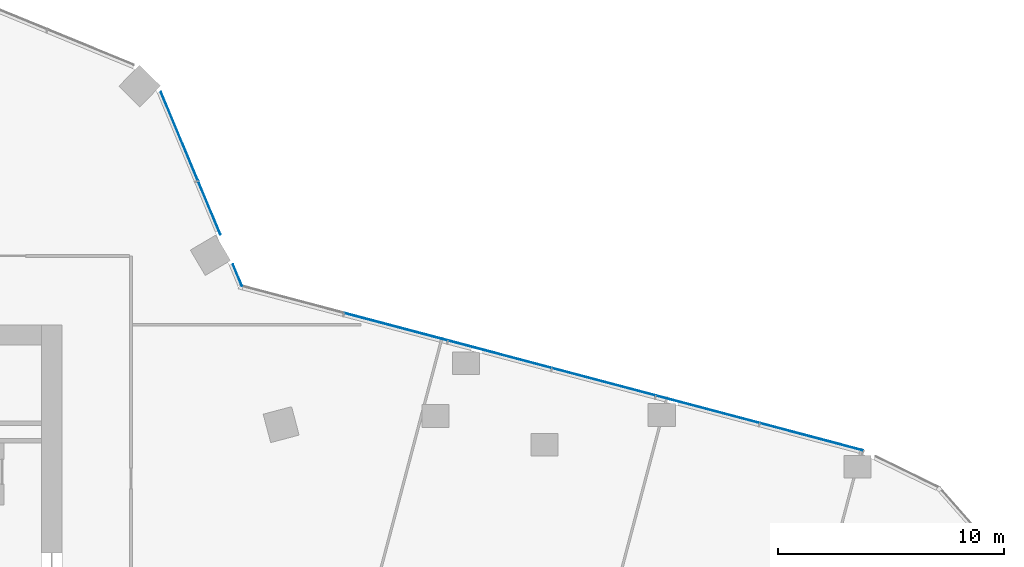
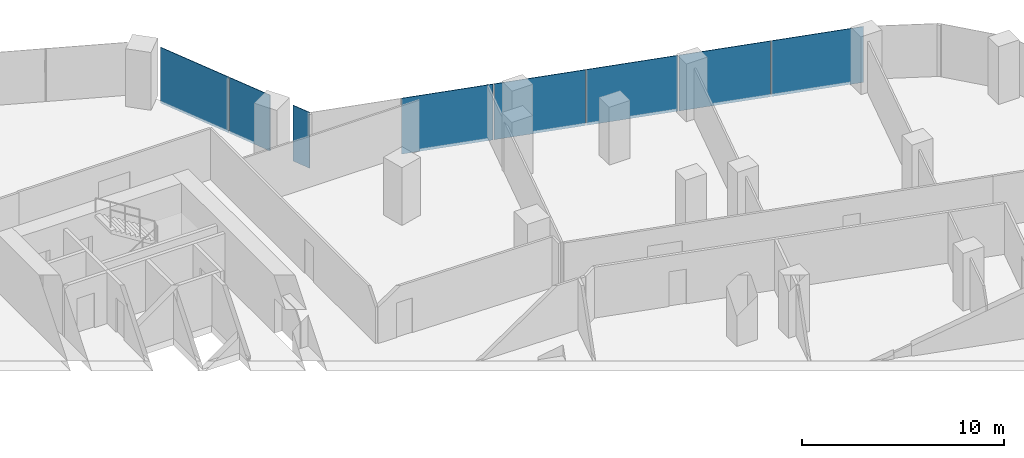
# One storey, part 25 of 34: 8 plates, 2 elements without a shape of their own.
"""IFC4 building model written with IfcOpenShell, lengths in metres."""

from ifc_helpers import new_model, si_unit, direction, frame, origin, origin_2d, place, context, subcontext, project, spatial, rectangle, extrude, material, layer, layer_set, type_object, element, aggregate, save


model = new_model("IFC4")

# Units and contexts
model_context = context("Model", 3, precision=1e-05, world=origin(), true_north=direction((0.0, 1.0)))
body_context = subcontext(model_context, "Body", "Model", "MODEL_VIEW")
ifc_project = project(units=[si_unit("LENGTHUNIT", "METRE"), si_unit("AREAUNIT", "SQUARE_METRE"), si_unit("VOLUMEUNIT", "CUBIC_METRE"), si_unit("PLANEANGLEUNIT", "RADIAN"), si_unit("MASSUNIT", "GRAM", prefix="KILO")], contexts=[model_context])

# Site, building, storey
site_placement = place(None, origin())
site = spatial("IfcSite", under=ifc_project, at=site_placement, CompositionType="ELEMENT")
building_placement = place(site_placement, origin())
building = spatial("IfcBuilding", under=site, at=building_placement, Name="Orlundy Tower", CompositionType="ELEMENT")
storey_placement = place(building_placement, frame((0.0, 0.0, 109.199951171875)))
storey = spatial("IfcBuildingStorey", under=building, at=storey_placement, Name="L27", CompositionType="ELEMENT", Elevation=109.199951171875)

# Curtain wall, plates
ifc_material_1 = material(Name="Aluminium bronze anodised", Category="aluminium")
curtain_wall_type = type_object("IfcCurtainWallType", Name="CW1 wall", PredefinedType="NOTDEFINED", material=ifc_material_1)
curtain_wall_1_placement = place(storey_placement, origin())
curtain_wall_1 = element("IfcCurtainWall", 1, at=curtain_wall_1_placement, inside=storey, type_object=curtain_wall_type, Name="CW1 run 017", PredefinedType="NOTDEFINED")
ifc_material_2 = material(Name="Tinted glass", Category="glass")
ifc_layer = layer(ifc_material_2, 0.031982421875)
ifc_layer_set = layer_set([ifc_layer], Name="CW1 glass panel 32")
plate_type = type_object("IfcPlateType", Name="CW1 glass panel 32", PredefinedType="CURTAIN_PANEL", material=ifc_layer_set)
plate_1_placement = place(storey_placement, frame((24.19091796875, 20.347900390625, -0.27978515625), z_axis=(0.0, 0.0, 1.0), x_axis=(0.385378258299, -0.922758688949, 0.0)))
plate_1 = element("IfcPlate", 2, at=plate_1_placement, type_object=plate_type, Name="CW1 panel", PredefinedType="CURTAIN_PANEL", context=body_context, shape_type="SweptSolid", body=[
    extrude(rectangle(XDim=4.240966796875, YDim=0.031982421875, at=origin_2d()), origin(), (0.0, 0.0, 1.0), 3.3798828125),
])
plate_2_placement = place(storey_placement, frame((25.51708984375, 17.172607421875, -0.27978515625), z_axis=(0.0, 0.0, 1.0), x_axis=(0.385378258299, -0.922758688949, 0.0)))
plate_2 = element("IfcPlate", 3, at=plate_2_placement, type_object=plate_type, Name="CW1 panel", PredefinedType="CURTAIN_PANEL", context=body_context, shape_type="SweptSolid", body=[
    extrude(rectangle(XDim=2.541259765625, YDim=0.031982421875, at=origin_2d()), origin(), (0.0, 0.0, 1.0), 3.3798828125),
])
plate_3_placement = place(storey_placement, frame((26.759521484375, 14.19775390625, -0.27978515625), z_axis=(0.0, 0.0, 1.0), x_axis=(0.385378258299, -0.922758688949, 0.0)))
plate_3 = element("IfcPlate", 4, at=plate_3_placement, type_object=plate_type, Name="CW1 panel", PredefinedType="CURTAIN_PANEL", context=body_context, shape_type="SweptSolid", body=[
    extrude(rectangle(XDim=1.0361328125, YDim=0.031982421875, at=origin_2d()), origin(), (0.0, 0.0, 1.0), 3.3798828125),
])
aggregate(curtain_wall_1, [plate_1, plate_2, plate_3])

curtain_wall_2_placement = place(storey_placement, origin())
curtain_wall_2 = element("IfcCurtainWall", 5, at=curtain_wall_2_placement, inside=storey, type_object=curtain_wall_type, Name="CW1 run 018", PredefinedType="NOTDEFINED")
plate_4_placement = place(storey_placement, frame((33.7763671875, 11.914306640625, -0.27978515625), z_axis=(0.0, 0.0, 1.0), x_axis=(0.966671560598, -0.256019713949, 0.0)))
plate_4 = element("IfcPlate", 6, at=plate_4_placement, type_object=plate_type, Name="CW1 panel", PredefinedType="CURTAIN_PANEL", context=body_context, shape_type="SweptSolid", body=[
    extrude(rectangle(XDim=4.70556640625, YDim=0.031982421875, at=origin_2d()), origin(), (0.0, 0.0, 1.0), 3.3798828125),
])
plate_5_placement = place(storey_placement, frame((38.37353515625, 10.69677734375, -0.27978515625), z_axis=(0.0, 0.0, 1.0), x_axis=(0.966671560598, -0.256019713949, 0.0)))
plate_5 = element("IfcPlate", 7, at=plate_5_placement, type_object=plate_type, Name="CW1 panel", PredefinedType="CURTAIN_PANEL", context=body_context, shape_type="SweptSolid", body=[
    extrude(rectangle(XDim=4.70556640625, YDim=0.031982421875, at=origin_2d()), origin(), (0.0, 0.0, 1.0), 3.3798828125),
])
plate_6_placement = place(storey_placement, frame((42.970458984375, 9.479248046875, -0.27978515625), z_axis=(0.0, 0.0, 1.0), x_axis=(0.966671560598, -0.256019713949, 0.0)))
plate_6 = element("IfcPlate", 8, at=plate_6_placement, type_object=plate_type, Name="CW1 panel", PredefinedType="CURTAIN_PANEL", context=body_context, shape_type="SweptSolid", body=[
    extrude(rectangle(XDim=4.70556640625, YDim=0.031982421875, at=origin_2d()), origin(), (0.0, 0.0, 1.0), 3.3798828125),
])
plate_7_placement = place(storey_placement, frame((47.5673828125, 8.26171875, -0.27978515625), z_axis=(0.0, 0.0, 1.0), x_axis=(0.966671560598, -0.256019713949, 0.0)))
plate_7 = element("IfcPlate", 9, at=plate_7_placement, type_object=plate_type, Name="CW1 panel", PredefinedType="CURTAIN_PANEL", context=body_context, shape_type="SweptSolid", body=[
    extrude(rectangle(XDim=4.70556640625, YDim=0.031982421875, at=origin_2d()), origin(), (0.0, 0.0, 1.0), 3.3798828125),
])
plate_8_placement = place(storey_placement, frame((52.172119140625, 7.042236328125, -0.27978515625), z_axis=(0.0, 0.0, 1.0), x_axis=(0.966671560598, -0.256019713949, 0.0)))
plate_8 = element("IfcPlate", 10, at=plate_8_placement, type_object=plate_type, Name="CW1 panel", PredefinedType="CURTAIN_PANEL", context=body_context, shape_type="SweptSolid", body=[
    extrude(rectangle(XDim=4.721435546875, YDim=0.031982421875, at=origin_2d()), origin(), (0.0, 0.0, 1.0), 3.3798828125),
])
aggregate(curtain_wall_2, [plate_4, plate_5, plate_6, plate_7, plate_8])

save(model, "model.ifc")
